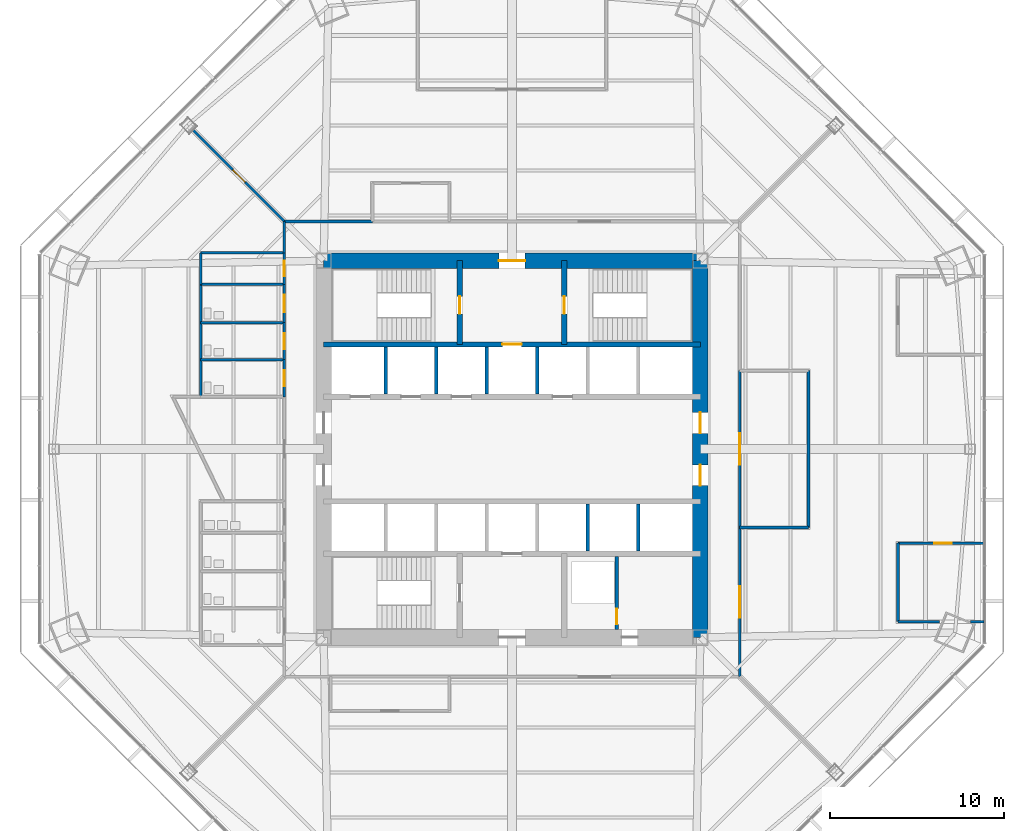
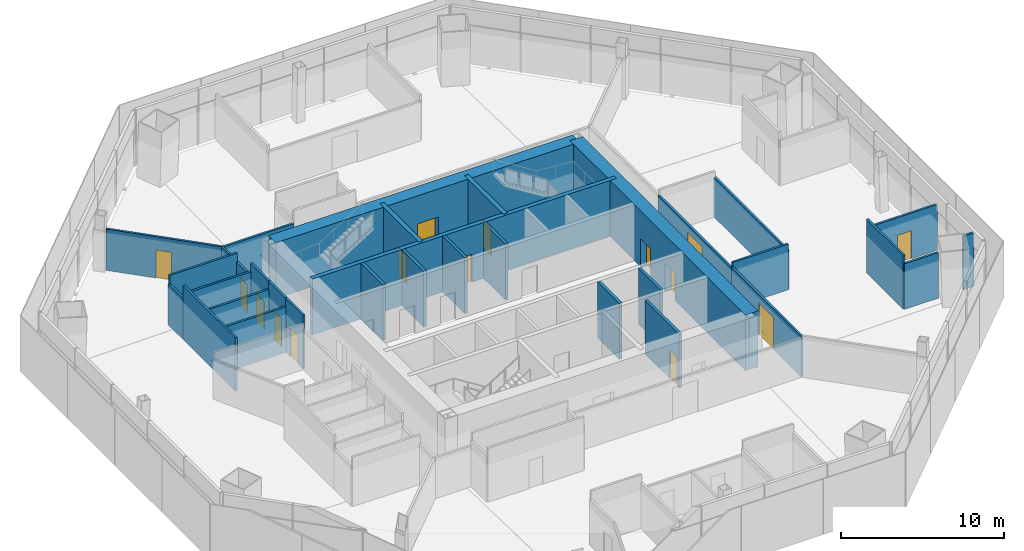
# One storey, part 10 of 14: 33 walls, 15 doors, 15 openings.
"""IFC4 building model written with IfcOpenShell, lengths in metres."""

import ifcopenshell
import ifcopenshell.guid

model = None  # the IFC model being written
_history = None  # IfcOwnerHistory: only IFC2X3 demands one
_inside = {}  # id of a spatial element -> (the spatial element, [elements in it])
_under = {}  # id of a project, library or spatial element -> (it, [spatial elements below it])
_declared = {}  # id of a project -> (the project, [libraries it declares])
_typed = {}  # id of a type object -> (the type object, [elements of that type])
_made_of = {}  # id of a material, layer set ... -> (it, [elements and type objects made of it])


def new_model(schema):
    """Start an empty IFC model of exactly this schema.

    Asked for "IFC4X3", IfcOpenShell would pick the latest addendum, in which some entities
    have other attributes; the version numbers below select the first issue.
    IFC2X3 requires an IfcOwnerHistory on every rooted entity: one is made here for all.
    """
    global model, _history
    if schema == "IFC4X3":
        model = ifcopenshell.file(schema_version=(4, 3, 0, 0))
    else:
        model = ifcopenshell.file(schema=schema)
    _inside.clear()
    _under.clear()
    _declared.clear()
    _typed.clear()
    _made_of.clear()
    _history = None
    if model.schema == "IFC2X3":
        org = make("IfcOrganization", Name="unknown")
        user = make(
            "IfcPersonAndOrganization",
            ThePerson=make("IfcPerson", FamilyName="unknown"),
            TheOrganization=org,
        )
        app = make(
            "IfcApplication",
            ApplicationDeveloper=org,
            Version="unknown",
            ApplicationFullName="unknown",
            ApplicationIdentifier="unknown",
        )
        _history = make(
            "IfcOwnerHistory",
            OwningUser=user,
            OwningApplication=app,
            ChangeAction="ADDED",
            CreationDate=0,
        )
    return model


def make(cls, **values):
    """One entity of the class cls with the attributes given. An attribute that is None is left unset."""
    return model.create_entity(
        cls, **{name: value for name, value in values.items() if value is not None}
    )


def rooted(cls, **values):
    """An entity with a GlobalId (a new one), such as an element, a storey or a relation."""
    return make(cls, GlobalId=ifcopenshell.guid.new(), OwnerHistory=_history, **values)


def si_unit(unit_type, name, prefix=None):
    """IfcSIUnit, for example si_unit("LENGTHUNIT", "METRE", prefix="MILLI")."""
    return make("IfcSIUnit", UnitType=unit_type, Prefix=prefix, Name=name)


def assignment(units):
    """IfcUnitAssignment: the units of a project."""
    return None if units is None else make("IfcUnitAssignment", Units=units)


def point(xyz):
    """IfcCartesianPoint."""
    return None if xyz is None else make("IfcCartesianPoint", Coordinates=xyz)


def direction(xyz):
    """IfcDirection."""
    return None if xyz is None else make("IfcDirection", DirectionRatios=xyz)


def frame(location, z_axis=None, x_axis=None):
    """IfcAxis2Placement3D, a coordinate frame: its origin and axes. An axis left out is left unset."""
    return make(
        "IfcAxis2Placement3D",
        Location=point(location),
        Axis=direction(z_axis),
        RefDirection=direction(x_axis),
    )


def frame_2d(location, x_axis=None):
    """IfcAxis2Placement2D, a coordinate frame in the plane: its origin and x axis."""
    return make(
        "IfcAxis2Placement2D", Location=point(location), RefDirection=direction(x_axis)
    )


def origin():
    """The frame at (0, 0, 0) with its axes left unset."""
    return frame((0.0, 0.0, 0.0))


def place(relative_to, where):
    """IfcLocalPlacement: puts the frame where relative to a parent placement (None: the world)."""
    return make(
        "IfcLocalPlacement", PlacementRelTo=relative_to, RelativePlacement=where
    )


def context(
    kind, dimensions, precision=None, world=None, true_north=None, identifier=None
):
    """IfcGeometricRepresentationContext, for example the 3D "Model" context."""
    return make(
        "IfcGeometricRepresentationContext",
        ContextIdentifier=identifier,
        ContextType=kind,
        CoordinateSpaceDimension=dimensions,
        Precision=precision,
        WorldCoordinateSystem=world,
        TrueNorth=true_north,
    )


def subcontext(parent, identifier, kind, view, scale=None):
    """IfcGeometricRepresentationSubContext, for example "Body" below "Model"."""
    return make(
        "IfcGeometricRepresentationSubContext",
        ContextIdentifier=identifier,
        ContextType=kind,
        ParentContext=parent,
        TargetScale=scale,
        TargetView=view,
    )


def project(units=None, contexts=None):
    """IfcProject with its units and contexts."""
    return rooted(
        "IfcProject",
        Name="project",
        RepresentationContexts=contexts,
        UnitsInContext=assignment(units),
    )


def spatial(cls, under=None, at=None, **own):
    """A site, building, storey or space (cls), placed at a placement, below another one or the project."""
    s = rooted(cls, ObjectPlacement=at, **own)
    if under is not None:
        _under.setdefault(under.id(), (under, []))[1].append(s)
    return s


def profile(cls, at=None, kind="AREA", **sizes):
    """A parametric profile (cls). Its sizes go by their IFC names, for example OverallWidth=200.0."""
    return make(cls, ProfileType=kind, Position=at, **sizes)


def rectangle(**sizes):
    """IfcRectangleProfileDef."""
    return profile("IfcRectangleProfileDef", **sizes)


def extrude(swept, where, along, depth):
    """IfcExtrudedAreaSolid: the profile swept, set in the frame where, extruded along a direction by depth."""
    return make(
        "IfcExtrudedAreaSolid",
        SweptArea=swept,
        Position=where,
        ExtrudedDirection=direction(along),
        Depth=depth,
    )


def shape(context_of_items, identifier, shape_type, items):
    """IfcShapeRepresentation: the items that make up one representation, for example the "Body"."""
    return make(
        "IfcShapeRepresentation",
        ContextOfItems=context_of_items,
        RepresentationIdentifier=identifier,
        RepresentationType=shape_type,
        Items=items,
    )


def material(Name=None, Category=None):
    """IfcMaterial."""
    return make("IfcMaterial", Name=Name, Category=Category)


def layer(
    of_material, thickness, ventilated=None, Name=None, Category=None, Priority=None
):
    """IfcMaterialLayer: one layer of a wall or slab, of a material (None: an air gap)."""
    return make(
        "IfcMaterialLayer",
        Material=of_material,
        LayerThickness=thickness,
        IsVentilated=ventilated,
        Name=Name,
        Category=Category,
        Priority=Priority,
    )


def layer_set(layers, Name=None):
    """IfcMaterialLayerSet."""
    return make("IfcMaterialLayerSet", MaterialLayers=layers, LayerSetName=Name)


def made_of(thing, what):
    """Note that an element or type object is made of a material, layer set ...; save() writes the relation."""
    if what is not None:
        _made_of.setdefault(what.id(), (what, []))[1].append(thing)
    return thing


def type_object(cls, material=None, **own):
    """A type object (cls), such as IfcWallType, which elements share."""
    return made_of(rooted(cls, **own), material)


def element(
    cls,
    number,
    at=None,
    inside=None,
    cuts=None,
    type_object=None,
    material=None,
    context=None,
    identifier="Body",
    shape_type=None,
    held_by="IfcProductDefinitionShape",
    body=None,
    shapes=None,
    **own,
):
    """One element of the class cls, such as IfcWall. Its Tag is "e" and its number.

    at: its placement. inside: the storey or other place that contains it. cuts: it is an
    opening in that element (IfcRelVoidsElement). A single representation is given by context,
    identifier, shape_type and body (its items); several are given by shapes. held_by: the class
    of the entity that holds the representations. save() writes the other relations.
    """
    e = rooted(cls, Tag="e%d" % number, ObjectPlacement=at, **own)
    if body is not None:
        shapes = [shape(context, identifier, shape_type, body)]
    if shapes is not None:
        e.Representation = make(held_by, Representations=shapes)
    if inside is not None:
        _inside.setdefault(inside.id(), (inside, []))[1].append(e)
    if cuts is not None:
        rooted(
            "IfcRelVoidsElement", RelatingBuildingElement=cuts, RelatedOpeningElement=e
        )
    if type_object is not None:
        _typed.setdefault(type_object.id(), (type_object, []))[1].append(e)
    return made_of(e, material)


def fill(opening, filler):
    """IfcRelFillsElement: the door or window that sits in an opening."""
    return rooted(
        "IfcRelFillsElement",
        RelatingOpeningElement=opening,
        RelatedBuildingElement=filler,
    )


def aggregate(whole, parts):
    """IfcRelAggregates: a whole, such as a stair, and the parts it consists of."""
    return rooted("IfcRelAggregates", RelatingObject=whole, RelatedObjects=parts)


def save(model, path):
    """Write the relations noted so far, then the file.

    IfcRelAggregates (storeys below a building ...), IfcRelContainedInSpatialStructure (elements
    in a storey), IfcRelDefinesByType, IfcRelAssociatesMaterial and IfcRelDeclares: one each for
    every whole, place, type object, material and project.
    """
    for whole, parts in _under.values():
        aggregate(whole, parts)
    for where, things in _inside.values():
        rooted(
            "IfcRelContainedInSpatialStructure",
            RelatedElements=things,
            RelatingStructure=where,
        )
    for kind, things in _typed.values():
        rooted("IfcRelDefinesByType", RelatedObjects=things, RelatingType=kind)
    for what, things in _made_of.values():
        rooted("IfcRelAssociatesMaterial", RelatedObjects=things, RelatingMaterial=what)
    for by, libraries in _declared.values():
        rooted("IfcRelDeclares", RelatingContext=by, RelatedDefinitions=libraries)
    model.write(path)


model = new_model("IFC4")

# Units and contexts
model_context = context("Model", 3, precision=1e-05, world=origin(), true_north=direction((0.0, 1.0)))
body_context = subcontext(model_context, "Body", "Model", "MODEL_VIEW")
ifc_project = project(units=[si_unit("LENGTHUNIT", "METRE"), si_unit("AREAUNIT", "SQUARE_METRE"), si_unit("VOLUMEUNIT", "CUBIC_METRE"), si_unit("PLANEANGLEUNIT", "RADIAN"), si_unit("MASSUNIT", "GRAM", prefix="KILO")], contexts=[model_context])

# Site, building, storey
site_placement = place(None, origin())
site = spatial("IfcSite", under=ifc_project, at=site_placement, CompositionType="ELEMENT")
building_placement = place(site_placement, origin())
building = spatial("IfcBuilding", under=site, at=building_placement, Name="Mashrafa Tower", CompositionType="ELEMENT")
storey_placement = place(building_placement, frame((0.0, 0.0, 33.0)))
storey = spatial("IfcBuildingStorey", under=building, at=storey_placement, Name="L06", CompositionType="ELEMENT", Elevation=33.0)

# Wall, opening, door
ifc_material_1 = material(Name="Concrete masonry unit", Category="masonry")
ifc_layer_1 = layer(ifc_material_1, 0.199951171875)
ifc_layer_set_1 = layer_set([ifc_layer_1], Name="Blockwork wall 200 2 hr")
wall_type_1 = type_object("IfcWallType", Name="Blockwork wall 200 2 hr", PredefinedType="PARTITIONING", material=ifc_layer_set_1)
wall_1_placement = place(storey_placement, frame((6.0, -10.35009765625, 0.0), z_axis=(0.0, 0.0, 1.0), x_axis=(0.0, 1.0, 0.0)))
wall_1 = element("IfcWall", 1, at=wall_1_placement, inside=storey, type_object=wall_type_1, Name="Riser enclosure wall L06", PredefinedType="PARTITIONING", context=body_context, shape_type="SweptSolid", body=[
    extrude(rectangle(XDim=4.2001953125, YDim=0.199951171875, at=frame_2d((2.10009765625, 0.0))), origin(), (0.0, 0.0, 1.0), 4.034912109375),
])
opening_1_placement = place(wall_1_placement, frame((0.300048828125, 0.0, 0.0)))
opening_1 = element("IfcOpeningElement", 2, at=opening_1_placement, cuts=wall_1, Name="Opening 06.034", PredefinedType="OPENING", context=body_context, shape_type="SweptSolid", body=[
    extrude(rectangle(XDim=0.89990234375, YDim=2.10009765625, at=frame_2d((0.449951171875, 1.050048828125))), frame((0.0, 0.10986328125, 0.0), z_axis=(0.0, -1.0, 0.0), x_axis=(1.0, 0.0, 0.0)), (0.0, 0.0, 1.0), 0.219970703125),
])
ifc_material_2 = material(Name="Steel door", Category="steel")
door_type_1 = type_object("IfcDoorType", Name="Service door 900 x 2100 90 min", OperationType="USERDEFINED", PredefinedType="DOOR", material=ifc_material_2)
door_1_placement = place(opening_1_placement, origin())
door_1 = element("IfcDoor", 3, at=door_1_placement, inside=storey, type_object=door_type_1, Name="Riser door L06", OperationType="SINGLE_SWING_LEFT", OverallHeight=2.10009765625, OverallWidth=0.89990234375, PredefinedType="DOOR", context=body_context, shape_type="SweptSolid", body=[
    extrude(rectangle(XDim=0.89990234375, YDim=2.10009765625, at=frame_2d((0.449951171875, 1.050048828125))), frame((0.0, 0.02490234375, 0.0), z_axis=(0.0, -1.0, 0.0), x_axis=(1.0, 0.0, 0.0)), (0.0, 0.0, 1.0), 0.050048828125),
])
fill(opening_1, door_1)

ifc_material_3 = material(Name="Concrete C60/75", Category="concrete")
ifc_layer_2 = layer(ifc_material_3, 0.300048828125)
ifc_layer_set_2 = layer_set([ifc_layer_2], Name="Core wall 300 C60/75")
wall_type_2 = type_object("IfcWallType", Name="Core wall 300 C60/75", PredefinedType="SOLIDWALL", material=ifc_layer_set_2)
wall_2_placement = place(storey_placement, frame((-10.800048828125, 6.0, 0.0), z_axis=(0.0, 0.0, 1.0), x_axis=(1.0, 0.0, 0.0)))
wall_2 = element("IfcWall", 4, at=wall_2_placement, inside=storey, type_object=wall_type_2, Name="Core wall CB-N L06", PredefinedType="SOLIDWALL", context=body_context, shape_type="SweptSolid", body=[
    extrude(rectangle(XDim=21.60009765625, YDim=0.300048828125, at=frame_2d((10.800048828125, 0.0))), origin(), (0.0, 0.0, 1.0), 4.199951171875),
])
opening_2_placement = place(wall_2_placement, frame((10.25, 0.0, 0.0)))
opening_2 = element("IfcOpeningElement", 5, at=opening_2_placement, cuts=wall_2, Name="Opening 06.F1", PredefinedType="OPENING", context=body_context, shape_type="SweptSolid", body=[
    extrude(rectangle(XDim=1.10009765625, YDim=2.10009765625, at=frame_2d((0.550048828125, 1.050048828125))), frame((0.0, 0.159912109375, 0.0), z_axis=(0.0, -1.0, 0.0), x_axis=(1.0, 0.0, 0.0)), (0.0, 0.0, 1.0), 0.320068359375),
])
ifc_material_4 = material(Name="Steel door", Category="steel")
door_type_2 = type_object("IfcDoorType", Name="Lift landing door 1100 x 2100 90 min", OperationType="DOUBLE_DOOR_SLIDING", PredefinedType="DOOR", material=ifc_material_4)
door_2_placement = place(opening_2_placement, origin())
door_2 = element("IfcDoor", 6, at=door_2_placement, inside=storey, type_object=door_type_2, Name="Lift landing door F1 L06", OperationType="DOUBLE_DOOR_SLIDING", OverallHeight=2.10009765625, OverallWidth=1.10009765625, PredefinedType="DOOR", context=body_context, shape_type="SweptSolid", body=[
    extrude(rectangle(XDim=1.10009765625, YDim=2.10009765625, at=frame_2d((0.550048828125, 1.050048828125))), frame((0.0, 0.02490234375, 0.0), z_axis=(0.0, -1.0, 0.0), x_axis=(1.0, 0.0, 0.0)), (0.0, 0.0, 1.0), 0.050048828125),
])
fill(opening_2, door_2)

wall_3_placement = place(storey_placement, frame((-3.0, 6.0, 0.0), z_axis=(0.0, 0.0, 1.0), x_axis=(0.0, 1.0, 0.0)))
wall_3 = element("IfcWall", 7, at=wall_3_placement, inside=storey, type_object=wall_type_2, Name="Core wall CX-NW L06", PredefinedType="SOLIDWALL", context=body_context, shape_type="SweptSolid", body=[
    extrude(rectangle(XDim=4.800048828125, YDim=0.300048828125, at=frame_2d((2.39990234375, 0.0))), origin(), (0.0, 0.0, 1.0), 4.199951171875),
])
opening_3_placement = place(wall_3_placement, frame((1.75, 0.0, 0.0)))
opening_3 = element("IfcOpeningElement", 8, at=opening_3_placement, cuts=wall_3, Name="Opening 06.030", PredefinedType="OPENING", context=body_context, shape_type="SweptSolid", body=[
    extrude(rectangle(XDim=1.0, YDim=2.10009765625, at=frame_2d((0.5, 1.050048828125))), frame((0.0, 0.159912109375, 0.0), z_axis=(0.0, -1.0, 0.0), x_axis=(1.0, 0.0, 0.0)), (0.0, 0.0, 1.0), 0.320068359375),
])
ifc_material_5 = material(Name="Steel door", Category="steel")
door_type_3 = type_object("IfcDoorType", Name="Stair door 1000 x 2100 90 min", OperationType="USERDEFINED", PredefinedType="DOOR", material=ifc_material_5)
door_3_placement = place(opening_3_placement, origin())
door_3 = element("IfcDoor", 9, at=door_3_placement, inside=storey, type_object=door_type_3, Name="Stair S1 door L06", OperationType="SINGLE_SWING_LEFT", OverallHeight=2.10009765625, OverallWidth=1.0, PredefinedType="DOOR", context=body_context, shape_type="SweptSolid", body=[
    extrude(rectangle(XDim=1.0, YDim=2.10009765625, at=frame_2d((0.5, 1.050048828125))), frame((0.0, 0.02490234375, 0.0), z_axis=(0.0, -1.0, 0.0), x_axis=(1.0, 0.0, 0.0)), (0.0, 0.0, 1.0), 0.050048828125),
])
fill(opening_3, door_3)

wall_4_placement = place(storey_placement, frame((3.0, 6.0, 0.0), z_axis=(0.0, 0.0, 1.0), x_axis=(0.0, 1.0, 0.0)))
wall_4 = element("IfcWall", 10, at=wall_4_placement, inside=storey, type_object=wall_type_2, Name="Core wall CX-NE L06", PredefinedType="SOLIDWALL", context=body_context, shape_type="SweptSolid", body=[
    extrude(rectangle(XDim=4.800048828125, YDim=0.300048828125, at=frame_2d((2.39990234375, 0.0))), origin(), (0.0, 0.0, 1.0), 4.199951171875),
])
opening_4_placement = place(wall_4_placement, frame((1.75, 0.0, 0.0)))
opening_4 = element("IfcOpeningElement", 11, at=opening_4_placement, cuts=wall_4, Name="Opening 06.031", PredefinedType="OPENING", context=body_context, shape_type="SweptSolid", body=[
    extrude(rectangle(XDim=1.0, YDim=2.10009765625, at=frame_2d((0.5, 1.050048828125))), frame((0.0, 0.159912109375, 0.0), z_axis=(0.0, -1.0, 0.0), x_axis=(1.0, 0.0, 0.0)), (0.0, 0.0, 1.0), 0.320068359375),
])
door_4_placement = place(opening_4_placement, frame((1.0, 0.0, 0.0), z_axis=(0.0, 0.0, 1.0), x_axis=(-1.0, 0.0, 0.0)))
door_4 = element("IfcDoor", 12, at=door_4_placement, inside=storey, type_object=door_type_3, Name="Stair S2 door L06", OperationType="SINGLE_SWING_RIGHT", OverallHeight=2.10009765625, OverallWidth=1.0, PredefinedType="DOOR", context=body_context, shape_type="SweptSolid", body=[
    extrude(rectangle(XDim=1.0, YDim=2.10009765625, at=frame_2d((0.5, 1.050048828125))), frame((0.0, 0.02490234375, 0.0), z_axis=(0.0, -1.0, 0.0), x_axis=(1.0, 0.0, 0.0)), (0.0, 0.0, 1.0), 0.050048828125),
])
fill(opening_4, door_4)

# Wall, openings, doors
ifc_material_6 = material(Name="Concrete C60/75", Category="concrete")
ifc_layer_3 = layer(ifc_material_6, 0.89990234375)
ifc_layer_set_3 = layer_set([ifc_layer_3], Name="Core wall 900 C60/75")
wall_type_3 = type_object("IfcWallType", Name="Core wall 900 C60/75", PredefinedType="SOLIDWALL", material=ifc_layer_set_3)
wall_5_placement = place(storey_placement, frame((10.800048828125, -10.800048828125, 0.0), z_axis=(0.0, 0.0, 1.0), x_axis=(0.0, 1.0, 0.0)))
wall_5 = element("IfcWall", 13, at=wall_5_placement, inside=storey, type_object=wall_type_3, Name="Core wall CW-E L06", PredefinedType="SOLIDWALL", context=body_context, shape_type="SweptSolid", body=[
    extrude(rectangle(XDim=21.60009765625, YDim=0.89990234375, at=frame_2d((10.800048828125, 0.0))), origin(), (0.0, 0.0, 1.0), 4.199951171875),
])
opening_5_placement = place(wall_5_placement, frame((11.699951171875, 0.0, 0.0)))
opening_5 = element("IfcOpeningElement", 14, at=opening_5_placement, cuts=wall_5, Name="Opening 06.024", PredefinedType="OPENING", context=body_context, shape_type="SweptSolid", body=[
    extrude(rectangle(XDim=1.199951171875, YDim=2.10009765625, at=frame_2d((0.60009765625, 1.050048828125))), frame((0.0, 0.4599609375, 0.0), z_axis=(0.0, -1.0, 0.0), x_axis=(1.0, 0.0, 0.0)), (0.0, 0.0, 1.0), 0.919921875),
])
opening_6_placement = place(wall_5_placement, frame((8.699951171875, 0.0, 0.0)))
opening_6 = element("IfcOpeningElement", 15, at=opening_6_placement, cuts=wall_5, Name="Opening 06.026", PredefinedType="OPENING", context=body_context, shape_type="SweptSolid", body=[
    extrude(rectangle(XDim=1.199951171875, YDim=2.10009765625, at=frame_2d((0.60009765625, 1.050048828125))), frame((0.0, 0.4599609375, 0.0), z_axis=(0.0, -1.0, 0.0), x_axis=(1.0, 0.0, 0.0)), (0.0, 0.0, 1.0), 0.919921875),
])
ifc_material_7 = material(Name="Steel door", Category="steel")
door_type_4 = type_object("IfcDoorType", Name="Lift hall door 1200 x 2100 90 min", OperationType="USERDEFINED", PredefinedType="DOOR", material=ifc_material_7)
door_5_placement = place(opening_5_placement, frame((1.199951171875, 0.0, 0.0), z_axis=(0.0, 0.0, 1.0), x_axis=(-1.0, 0.0, 0.0)))
door_5 = element("IfcDoor", 16, at=door_5_placement, inside=storey, type_object=door_type_4, Name="Lift hall door east L06", OperationType="SINGLE_SWING_LEFT", OverallHeight=2.10009765625, OverallWidth=1.199951171875, PredefinedType="DOOR", context=body_context, shape_type="SweptSolid", body=[
    extrude(rectangle(XDim=1.199951171875, YDim=2.10009765625, at=frame_2d((0.60009765625, 1.050048828125))), frame((0.0, 0.02490234375, 0.0), z_axis=(0.0, -1.0, 0.0), x_axis=(1.0, 0.0, 0.0)), (0.0, 0.0, 1.0), 0.050048828125),
])
fill(opening_5, door_5)
door_6_placement = place(opening_6_placement, frame((1.199951171875, 0.0, 0.0), z_axis=(0.0, 0.0, 1.0), x_axis=(-1.0, 0.0, 0.0)))
door_6 = element("IfcDoor", 17, at=door_6_placement, inside=storey, type_object=door_type_4, Name="Lift hall door east L06", OperationType="SINGLE_SWING_RIGHT", OverallHeight=2.10009765625, OverallWidth=1.199951171875, PredefinedType="DOOR", context=body_context, shape_type="SweptSolid", body=[
    extrude(rectangle(XDim=1.199951171875, YDim=2.10009765625, at=frame_2d((0.60009765625, 1.050048828125))), frame((0.0, 0.02490234375, 0.0), z_axis=(0.0, -1.0, 0.0), x_axis=(1.0, 0.0, 0.0)), (0.0, 0.0, 1.0), 0.050048828125),
])
fill(opening_6, door_6)

# Wall, opening, door
wall_6_placement = place(storey_placement, frame((10.800048828125, 10.800048828125, 0.0), z_axis=(0.0, 0.0, 1.0), x_axis=(-1.0, 0.0, 0.0)))
wall_6 = element("IfcWall", 18, at=wall_6_placement, inside=storey, type_object=wall_type_3, Name="Core wall CW-N L06", PredefinedType="SOLIDWALL", context=body_context, shape_type="SweptSolid", body=[
    extrude(rectangle(XDim=21.60009765625, YDim=0.89990234375, at=frame_2d((10.800048828125, 0.0))), origin(), (0.0, 0.0, 1.0), 4.199951171875),
])
opening_7_placement = place(wall_6_placement, frame((10.050048828125, 0.0, 0.0)))
opening_7 = element("IfcOpeningElement", 19, at=opening_7_placement, cuts=wall_6, Name="Opening 06.028", PredefinedType="OPENING", context=body_context, shape_type="SweptSolid", body=[
    extrude(rectangle(XDim=1.5, YDim=2.10009765625, at=frame_2d((0.75, 1.050048828125))), frame((0.0, 0.4599609375, 0.0), z_axis=(0.0, -1.0, 0.0), x_axis=(1.0, 0.0, 0.0)), (0.0, 0.0, 1.0), 0.919921875),
])
ifc_material_8 = material(Name="Steel door", Category="steel")
door_type_5 = type_object("IfcDoorType", Name="Lobby door pair 1500 x 2100 90 min", OperationType="DOUBLE_DOOR_SINGLE_SWING", PredefinedType="DOOR", material=ifc_material_8)
door_7_placement = place(opening_7_placement, origin())
door_7 = element("IfcDoor", 20, at=door_7_placement, inside=storey, type_object=door_type_5, Name="Fire-fighting lobby F1 door L06", OperationType="DOUBLE_DOOR_SINGLE_SWING", OverallHeight=2.10009765625, OverallWidth=1.5, PredefinedType="DOOR", context=body_context, shape_type="SweptSolid", body=[
    extrude(rectangle(XDim=1.5, YDim=2.10009765625, at=frame_2d((0.75, 1.050048828125))), frame((0.0, 0.02490234375, 0.0), z_axis=(0.0, -1.0, 0.0), x_axis=(1.0, 0.0, 0.0)), (0.0, 0.0, 1.0), 0.050048828125),
])
fill(opening_7, door_7)

ifc_material_9 = material(Name="Gypsum board on steel studs", Category="steel")
ifc_layer_4 = layer(ifc_material_9, 0.14990234375)
ifc_layer_set_4 = layer_set([ifc_layer_4], Name="Corridor partition 150 1 hr")
wall_type_4 = type_object("IfcWallType", Name="Corridor partition 150 1 hr", PredefinedType="PARTITIONING", material=ifc_layer_set_4)
wall_7_placement = place(storey_placement, frame((-13.050048828125, 5.1259765625, 0.0), z_axis=(0.0, 0.0, 1.0), x_axis=(0.0, -1.0, 0.0)))
wall_7 = element("IfcWall", 21, at=wall_7_placement, inside=storey, type_object=wall_type_4, Name="Corridor wall L06-001", PredefinedType="PARTITIONING", context=body_context, shape_type="SweptSolid", body=[
    extrude(rectangle(XDim=2.126953125, YDim=0.14990234375, at=frame_2d((1.0634765625, 0.0))), origin(), (0.0, 0.0, 1.0), 4.034912109375),
])
opening_8_placement = place(wall_7_placement, frame((0.613525390625, 0.0, 0.0)))
opening_8 = element("IfcOpeningElement", 22, at=opening_8_placement, cuts=wall_7, Name="Opening 06.001", PredefinedType="OPENING", context=body_context, shape_type="SweptSolid", body=[
    extrude(rectangle(XDim=0.89990234375, YDim=2.10009765625, at=frame_2d((0.449951171875, 1.050048828125))), frame((0.0, 0.0849609375, 0.0), z_axis=(0.0, -1.0, 0.0), x_axis=(1.0, 0.0, 0.0)), (0.0, 0.0, 1.0), 0.169921875),
])
ifc_material_10 = material(Name="Timber door", Category="wood")
door_type_6 = type_object("IfcDoorType", Name="Toilet door 900 x 2100", OperationType="USERDEFINED", PredefinedType="DOOR", material=ifc_material_10)
door_8_placement = place(opening_8_placement, frame((0.89990234375, 0.0, 0.0), z_axis=(0.0, 0.0, 1.0), x_axis=(-1.0, 0.0, 0.0)))
door_8 = element("IfcDoor", 23, at=door_8_placement, inside=storey, type_object=door_type_6, Name="WC Female L06 N door", OperationType="SINGLE_SWING_RIGHT", OverallHeight=2.10009765625, OverallWidth=0.89990234375, PredefinedType="DOOR", context=body_context, shape_type="SweptSolid", body=[
    extrude(rectangle(XDim=0.89990234375, YDim=2.10009765625, at=frame_2d((0.449951171875, 1.050048828125))), frame((0.0, 0.02490234375, 0.0), z_axis=(0.0, -1.0, 0.0), x_axis=(1.0, 0.0, 0.0)), (0.0, 0.0, 1.0), 0.050048828125),
])
fill(opening_8, door_8)

wall_8_placement = place(storey_placement, frame((-13.050048828125, 7.2509765625, 0.0), z_axis=(0.0, 0.0, 1.0), x_axis=(0.0, -1.0, 0.0)))
wall_8 = element("IfcWall", 24, at=wall_8_placement, inside=storey, type_object=wall_type_4, Name="Corridor wall L06-002", PredefinedType="PARTITIONING", context=body_context, shape_type="SweptSolid", body=[
    extrude(rectangle(XDim=2.126953125, YDim=0.14990234375, at=frame_2d((1.0634765625, 0.0))), origin(), (0.0, 0.0, 1.0), 4.034912109375),
])
opening_9_placement = place(wall_8_placement, frame((0.613525390625, 0.0, 0.0)))
opening_9 = element("IfcOpeningElement", 25, at=opening_9_placement, cuts=wall_8, Name="Opening 06.002", PredefinedType="OPENING", context=body_context, shape_type="SweptSolid", body=[
    extrude(rectangle(XDim=0.89990234375, YDim=2.10009765625, at=frame_2d((0.449951171875, 1.050048828125))), frame((0.0, 0.0849609375, 0.0), z_axis=(0.0, -1.0, 0.0), x_axis=(1.0, 0.0, 0.0)), (0.0, 0.0, 1.0), 0.169921875),
])
door_9_placement = place(opening_9_placement, frame((0.89990234375, 0.0, 0.0), z_axis=(0.0, 0.0, 1.0), x_axis=(-1.0, 0.0, 0.0)))
door_9 = element("IfcDoor", 26, at=door_9_placement, inside=storey, type_object=door_type_6, Name="WC Male L06 N door", OperationType="SINGLE_SWING_LEFT", OverallHeight=2.10009765625, OverallWidth=0.89990234375, PredefinedType="DOOR", context=body_context, shape_type="SweptSolid", body=[
    extrude(rectangle(XDim=0.89990234375, YDim=2.10009765625, at=frame_2d((0.449951171875, 1.050048828125))), frame((0.0, 0.02490234375, 0.0), z_axis=(0.0, -1.0, 0.0), x_axis=(1.0, 0.0, 0.0)), (0.0, 0.0, 1.0), 0.050048828125),
])
fill(opening_9, door_9)

wall_9_placement = place(storey_placement, frame((-13.050048828125, 9.450927734375, 0.0), z_axis=(0.0, 0.0, 1.0), x_axis=(0.0, -1.0, 0.0)))
wall_9 = element("IfcWall", 27, at=wall_9_placement, inside=storey, type_object=wall_type_4, Name="Corridor wall L06-003", PredefinedType="PARTITIONING", context=body_context, shape_type="SweptSolid", body=[
    extrude(rectangle(XDim=2.201904296875, YDim=0.14990234375, at=frame_2d((1.10107421875, 0.0))), origin(), (0.0, 0.0, 1.0), 4.034912109375),
])
opening_10_placement = place(wall_9_placement, frame((0.60107421875, 0.0, 0.0)))
opening_10 = element("IfcOpeningElement", 28, at=opening_10_placement, cuts=wall_9, Name="Opening 06.003", PredefinedType="OPENING", context=body_context, shape_type="SweptSolid", body=[
    extrude(rectangle(XDim=1.0, YDim=2.10009765625, at=frame_2d((0.5, 1.050048828125))), frame((0.0, 0.0849609375, 0.0), z_axis=(0.0, -1.0, 0.0), x_axis=(1.0, 0.0, 0.0)), (0.0, 0.0, 1.0), 0.169921875),
])
ifc_material_11 = material(Name="Timber door", Category="wood")
door_type_7 = type_object("IfcDoorType", Name="Accessible toilet door 1000 x 2100", OperationType="USERDEFINED", PredefinedType="DOOR", material=ifc_material_11)
door_10_placement = place(opening_10_placement, frame((1.0, 0.0, 0.0), z_axis=(0.0, 0.0, 1.0), x_axis=(-1.0, 0.0, 0.0)))
door_10 = element("IfcDoor", 29, at=door_10_placement, inside=storey, type_object=door_type_7, Name="Accessible WC L06 N door", OperationType="SINGLE_SWING_RIGHT", OverallHeight=2.10009765625, OverallWidth=1.0, PredefinedType="DOOR", context=body_context, shape_type="SweptSolid", body=[
    extrude(rectangle(XDim=1.0, YDim=2.10009765625, at=frame_2d((0.5, 1.050048828125))), frame((0.0, 0.02490234375, 0.0), z_axis=(0.0, -1.0, 0.0), x_axis=(1.0, 0.0, 0.0)), (0.0, 0.0, 1.0), 0.050048828125),
])
fill(opening_10, door_10)

wall_10_placement = place(storey_placement, frame((-13.050048828125, 11.2509765625, 0.0), z_axis=(0.0, 0.0, 1.0), x_axis=(0.0, -1.0, 0.0)))
wall_10 = element("IfcWall", 30, at=wall_10_placement, inside=storey, type_object=wall_type_4, Name="Corridor wall L06-004", PredefinedType="PARTITIONING", context=body_context, shape_type="SweptSolid", body=[
    extrude(rectangle(XDim=1.802001953125, YDim=0.14990234375, at=frame_2d((0.90087890625, 0.0))), origin(), (0.0, 0.0, 1.0), 3.06494140625),
])
opening_11_placement = place(wall_10_placement, frame((0.450927734375, 0.0, 0.0)))
opening_11 = element("IfcOpeningElement", 31, at=opening_11_placement, cuts=wall_10, Name="Opening 06.004", PredefinedType="OPENING", context=body_context, shape_type="SweptSolid", body=[
    extrude(rectangle(XDim=0.89990234375, YDim=2.10009765625, at=frame_2d((0.449951171875, 1.050048828125))), frame((0.0, 0.0849609375, 0.0), z_axis=(0.0, -1.0, 0.0), x_axis=(1.0, 0.0, 0.0)), (0.0, 0.0, 1.0), 0.169921875),
])
ifc_material_12 = material(Name="Timber door", Category="wood")
door_type_8 = type_object("IfcDoorType", Name="Store door 900 x 2100", OperationType="USERDEFINED", PredefinedType="DOOR", material=ifc_material_12)
door_11_placement = place(opening_11_placement, frame((0.89990234375, 0.0, 0.0), z_axis=(0.0, 0.0, 1.0), x_axis=(-1.0, 0.0, 0.0)))
door_11 = element("IfcDoor", 32, at=door_11_placement, inside=storey, type_object=door_type_8, Name="Cleaner's Store L06 N door", OperationType="SINGLE_SWING_LEFT", OverallHeight=2.10009765625, OverallWidth=0.89990234375, PredefinedType="DOOR", context=body_context, shape_type="SweptSolid", body=[
    extrude(rectangle(XDim=0.89990234375, YDim=2.10009765625, at=frame_2d((0.449951171875, 1.050048828125))), frame((0.0, 0.02490234375, 0.0), z_axis=(0.0, -1.0, 0.0), x_axis=(1.0, 0.0, 0.0)), (0.0, 0.0, 1.0), 0.050048828125),
])
fill(opening_11, door_11)

wall_11_placement = place(storey_placement, frame((13.050048828125, -4.5009765625, 0.0), z_axis=(0.0, 0.0, 1.0), x_axis=(0.0, 1.0, 0.0)))
wall_11 = element("IfcWall", 33, at=wall_11_placement, inside=storey, type_object=wall_type_4, Name="Corridor wall L06-010", PredefinedType="PARTITIONING", context=body_context, shape_type="SweptSolid", body=[
    extrude(rectangle(XDim=9.001953125, YDim=0.14990234375, at=frame_2d((4.5009765625, 0.0))), origin(), (0.0, 0.0, 1.0), 2.983642578125),
])
opening_12_placement = place(wall_11_placement, frame((3.60107421875, 0.0, 0.0)))
opening_12 = element("IfcOpeningElement", 34, at=opening_12_placement, cuts=wall_11, Name="Opening 06.010", PredefinedType="OPENING", context=body_context, shape_type="SweptSolid", body=[
    extrude(rectangle(XDim=1.800048828125, YDim=2.39990234375, at=frame_2d((0.89990234375, 1.199951171875))), frame((0.0, 0.0849609375, 0.0), z_axis=(0.0, -1.0, 0.0), x_axis=(1.0, 0.0, 0.0)), (0.0, 0.0, 1.0), 0.169921875),
])
ifc_material_13 = material(Name="Steel door", Category="steel")
door_type_9 = type_object("IfcDoorType", Name="Door pair 1800 x 2400 90 min", OperationType="DOUBLE_DOOR_SINGLE_SWING", PredefinedType="DOOR", material=ifc_material_13)
door_12_placement = place(opening_12_placement, frame((1.800048828125, 0.0, 0.0), z_axis=(0.0, 0.0, 1.0), x_axis=(-1.0, 0.0, 0.0)))
door_12 = element("IfcDoor", 35, at=door_12_placement, inside=storey, type_object=door_type_9, Name="Reception and Waiting 06 door", OperationType="DOUBLE_DOOR_SINGLE_SWING", OverallHeight=2.39990234375, OverallWidth=1.800048828125, PredefinedType="DOOR", context=body_context, shape_type="SweptSolid", body=[
    extrude(rectangle(XDim=1.800048828125, YDim=2.39990234375, at=frame_2d((0.89990234375, 1.199951171875))), frame((0.0, 0.02490234375, 0.0), z_axis=(0.0, -1.0, 0.0), x_axis=(1.0, 0.0, 0.0)), (0.0, 0.0, 1.0), 0.050048828125),
])
fill(opening_12, door_12)

# Wall
wall_12_placement = place(storey_placement, frame((-7.9990234375, 13.050048828125, 0.0), z_axis=(0.0, 0.0, 1.0), x_axis=(-1.0, 0.0, 0.0)))
element("IfcWall", 36, at=wall_12_placement, inside=storey, type_object=wall_type_4, Name="Corridor wall L06-013", PredefinedType="PARTITIONING", context=body_context, shape_type="SweptSolid", body=[
    extrude(rectangle(XDim=5.051025390625, YDim=0.14990234375, at=frame_2d((2.525390625, 0.0))), origin(), (0.0, 0.0, 1.0), 3.06494140625),
])

# Wall, opening, door
wall_13_placement = place(storey_placement, frame((13.050048828125, -13.050048828125, 0.0), z_axis=(0.0, 0.0, 1.0), x_axis=(0.0, 1.0, 0.0)))
wall_13 = element("IfcWall", 37, at=wall_13_placement, inside=storey, type_object=wall_type_4, Name="Corridor wall L06-015", PredefinedType="PARTITIONING", context=body_context, shape_type="SweptSolid", body=[
    extrude(rectangle(XDim=8.551025390625, YDim=0.14990234375, at=frame_2d((4.275390625, 0.0))), origin(), (0.0, 0.0, 1.0), 3.06494140625),
])
opening_13_placement = place(wall_13_placement, frame((3.37548828125, 0.0, 0.0)))
opening_13 = element("IfcOpeningElement", 38, at=opening_13_placement, cuts=wall_13, Name="Opening 06.021", PredefinedType="OPENING", context=body_context, shape_type="SweptSolid", body=[
    extrude(rectangle(XDim=1.800048828125, YDim=2.39990234375, at=frame_2d((0.89990234375, 1.199951171875))), frame((0.0, 0.0849609375, 0.0), z_axis=(0.0, -1.0, 0.0), x_axis=(1.0, 0.0, 0.0)), (0.0, 0.0, 1.0), 0.169921875),
])
ifc_material_14 = material(Name="Timber door", Category="wood")
door_type_10 = type_object("IfcDoorType", Name="Door pair 1800 x 2400", OperationType="DOUBLE_DOOR_SINGLE_SWING", PredefinedType="DOOR", material=ifc_material_14)
door_13_placement = place(opening_13_placement, frame((1.800048828125, 0.0, 0.0), z_axis=(0.0, 0.0, 1.0), x_axis=(-1.0, 0.0, 0.0)))
door_13 = element("IfcDoor", 39, at=door_13_placement, inside=storey, type_object=door_type_10, Name="Private Banking Office 06 door", OperationType="DOUBLE_DOOR_SINGLE_SWING", OverallHeight=2.39990234375, OverallWidth=1.800048828125, PredefinedType="DOOR", context=body_context, shape_type="SweptSolid", body=[
    extrude(rectangle(XDim=1.800048828125, YDim=2.39990234375, at=frame_2d((0.89990234375, 1.199951171875))), frame((0.0, 0.02490234375, 0.0), z_axis=(0.0, -1.0, 0.0), x_axis=(1.0, 0.0, 0.0)), (0.0, 0.0, 1.0), 0.050048828125),
])
fill(opening_13, door_13)

# Walls
wall_14_placement = place(storey_placement, frame((-13.050048828125, 13.050048828125, 0.0), z_axis=(0.0, 0.0, 1.0), x_axis=(0.0, -1.0, 0.0)))
element("IfcWall", 40, at=wall_14_placement, inside=storey, type_object=wall_type_4, Name="Corridor wall L06-020", PredefinedType="PARTITIONING", context=body_context, shape_type="SweptSolid", body=[
    extrude(rectangle(XDim=1.801025390625, YDim=0.14990234375, at=frame_2d((0.900390625, 0.0))), origin(), (0.0, 0.0, 1.0), 3.097900390625),
])
wall_15_placement = place(storey_placement, frame((13.050048828125, -4.5, 0.0), z_axis=(0.0, 0.0, 1.0), x_axis=(1.0, 0.0, 0.0)))
element("IfcWall", 41, at=wall_15_placement, inside=storey, type_object=wall_type_4, Name="Corridor wall L06-042", PredefinedType="PARTITIONING", context=body_context, shape_type="SweptSolid", body=[
    extrude(rectangle(XDim=3.949951171875, YDim=0.14990234375, at=frame_2d((1.97509765625, 0.0))), origin(), (0.0, 0.0, 1.0), 3.425537109375),
])
wall_16_placement = place(storey_placement, frame((17.0, -4.5, 0.0), z_axis=(0.0, 0.0, 1.0), x_axis=(0.0, 1.0, 0.0)))
element("IfcWall", 42, at=wall_16_placement, inside=storey, type_object=wall_type_4, Name="Corridor wall L06-043", PredefinedType="PARTITIONING", context=body_context, shape_type="SweptSolid", body=[
    extrude(rectangle(XDim=9.0, YDim=0.14990234375, at=frame_2d((4.5, 0.0))), origin(), (0.0, 0.0, 1.0), 2.983642578125),
])
ifc_material_15 = material(Name="Gypsum board on steel studs", Category="steel")
ifc_layer_5 = layer(ifc_material_15, 0.14990234375)
ifc_layer_set_5 = layer_set([ifc_layer_5], Name="Partition 150")
wall_type_5 = type_object("IfcWallType", Name="Partition 150", PredefinedType="PARTITIONING", material=ifc_layer_set_5)
wall_17_placement = place(storey_placement, frame((-13.050048828125, 5.125, 0.0), z_axis=(0.0, 0.0, 1.0), x_axis=(-1.0, 0.0, 0.0)))
element("IfcWall", 43, at=wall_17_placement, inside=storey, type_object=wall_type_5, Name="Partition wall L06-021", PredefinedType="PARTITIONING", context=body_context, shape_type="SweptSolid", body=[
    extrude(rectangle(XDim=4.800048828125, YDim=0.14990234375, at=frame_2d((2.39990234375, 0.0))), origin(), (0.0, 0.0, 1.0), 3.425537109375),
])
wall_18_placement = place(storey_placement, frame((-17.85009765625, 3.0, 0.0), z_axis=(0.0, 0.0, 1.0), x_axis=(0.0, 1.0, 0.0)))
element("IfcWall", 44, at=wall_18_placement, inside=storey, type_object=wall_type_5, Name="Partition wall L06-023", PredefinedType="PARTITIONING", context=body_context, shape_type="SweptSolid", body=[
    extrude(rectangle(XDim=6.449951171875, YDim=0.14990234375, at=frame_2d((3.22509765625, 0.0))), origin(), (0.0, 0.0, 1.0), 4.034912109375),
])
for number, where, z_axis, x_axis, name in (
    (45, (-13.050048828125, 7.25, 0.0), (0.0, 0.0, 1.0), (-1.0, 0.0, 0.0), "Partition wall L06-024"),
    (46, (-13.050048828125, 9.449951171875, 0.0), (0.0, 0.0, 1.0), (-1.0, 0.0, 0.0), "Partition wall L06-026"),
):
    element("IfcWall", number, at=place(storey_placement, frame(where, z_axis=z_axis, x_axis=x_axis)), inside=storey, type_object=wall_type_5, Name=name, PredefinedType="PARTITIONING", context=body_context, shape_type="SweptSolid", body=[
        extrude(rectangle(XDim=4.800048828125, YDim=0.14990234375, at=frame_2d((2.39990234375, 0.0))), origin(), (0.0, 0.0, 1.0), 3.425537109375),
    ])
wall_19_placement = place(storey_placement, frame((-13.050048828125, 11.25, 0.0), z_axis=(0.0, 0.0, 1.0), x_axis=(-1.0, 0.0, 0.0)))
element("IfcWall", 47, at=wall_19_placement, inside=storey, type_object=wall_type_5, Name="Partition wall L06-028", PredefinedType="PARTITIONING", context=body_context, shape_type="SweptSolid", body=[
    extrude(rectangle(XDim=4.800048828125, YDim=0.14990234375, at=frame_2d((2.39990234375, 0.0))), origin(), (0.0, 0.0, 1.0), 3.715087890625),
])
wall_20_placement = place(storey_placement, frame((-17.85009765625, 11.25, 0.0), z_axis=(0.0, 0.0, 1.0), x_axis=(0.0, -1.0, 0.0)))
element("IfcWall", 48, at=wall_20_placement, inside=storey, type_object=wall_type_5, Name="Partition wall L06-029", PredefinedType="PARTITIONING", context=body_context, shape_type="SweptSolid", body=[
    extrude(rectangle(XDim=1.800048828125, YDim=0.14990234375, at=frame_2d((0.89990234375, 0.0))), origin(), (0.0, 0.0, 1.0), 3.06494140625),
])

# Wall, opening, door
wall_21_placement = place(storey_placement, frame((27.065185546875, -5.39990234375, 0.0), z_axis=(0.0, 0.0, 1.0), x_axis=(-1.0, 0.0, 0.0)))
wall_21 = element("IfcWall", 49, at=wall_21_placement, inside=storey, type_object=wall_type_5, Name="Partition wall L06-067", PredefinedType="PARTITIONING", context=body_context, shape_type="SweptSolid", body=[
    extrude(rectangle(XDim=4.93408203125, YDim=0.14990234375, at=frame_2d((2.467041015625, 0.0))), origin(), (0.0, 0.0, 1.0), 3.423095703125),
])
opening_14_placement = place(wall_21_placement, frame((1.84912109375, 0.0, 0.0)))
opening_14 = element("IfcOpeningElement", 50, at=opening_14_placement, cuts=wall_21, Name="Opening 06.019", PredefinedType="OPENING", context=body_context, shape_type="SweptSolid", body=[
    extrude(rectangle(XDim=1.0, YDim=2.10009765625, at=frame_2d((0.5, 1.050048828125))), frame((0.0, 0.0849609375, 0.0), z_axis=(0.0, -1.0, 0.0), x_axis=(1.0, 0.0, 0.0)), (0.0, 0.0, 1.0), 0.169921875),
])
ifc_material_16 = material(Name="Timber door", Category="wood")
door_type_11 = type_object("IfcDoorType", Name="Door 1000 x 2100", OperationType="USERDEFINED", PredefinedType="DOOR", material=ifc_material_16)
door_14_placement = place(opening_14_placement, origin())
door_14 = element("IfcDoor", 51, at=door_14_placement, inside=storey, type_object=door_type_11, Name="Meeting Room 06-2 door", OperationType="SINGLE_SWING_LEFT", OverallHeight=2.10009765625, OverallWidth=1.0, PredefinedType="DOOR", context=body_context, shape_type="SweptSolid", body=[
    extrude(rectangle(XDim=1.0, YDim=2.10009765625, at=frame_2d((0.5, 1.050048828125))), frame((0.0, 0.02490234375, 0.0), z_axis=(0.0, -1.0, 0.0), x_axis=(1.0, 0.0, 0.0)), (0.0, 0.0, 1.0), 0.050048828125),
])
fill(opening_14, door_14)

# Walls
wall_22_placement = place(storey_placement, frame((22.131103515625, -5.39990234375, 0.0), z_axis=(0.0, 0.0, 1.0), x_axis=(0.0, -1.0, 0.0)))
element("IfcWall", 52, at=wall_22_placement, inside=storey, type_object=wall_type_5, Name="Partition wall L06-068", PredefinedType="PARTITIONING", context=body_context, shape_type="SweptSolid", body=[
    extrude(rectangle(XDim=4.5, YDim=0.14990234375, at=frame_2d((2.25, 0.0))), origin(), (0.0, 0.0, 1.0), 4.034912109375),
])
wall_23_placement = place(storey_placement, frame((22.131103515625, -9.89990234375, 0.0), z_axis=(0.0, 0.0, 1.0), x_axis=(1.0, 0.0, 0.0)))
element("IfcWall", 53, at=wall_23_placement, inside=storey, type_object=wall_type_5, Name="Partition wall L06-069", PredefinedType="PARTITIONING", context=body_context, shape_type="SweptSolid", body=[
    extrude(rectangle(XDim=2.395263671875, YDim=0.14990234375, at=frame_2d((1.19775390625, 0.0))), origin(), (0.0, 0.0, 1.0), 3.423095703125),
])
wall_24_placement = place(storey_placement, frame((26.30224609375, -9.89990234375, 0.0), z_axis=(0.0, 0.0, 1.0), x_axis=(1.0, 0.0, 0.0)))
element("IfcWall", 54, at=wall_24_placement, inside=storey, type_object=wall_type_5, Name="Partition wall L06-070", PredefinedType="PARTITIONING", context=body_context, shape_type="SweptSolid", body=[
    extrude(rectangle(XDim=0.760986328125, YDim=0.14990234375, at=frame_2d((0.38037109375, 0.0))), origin(), (0.0, 0.0, 1.0), 4.034912109375),
])

# Wall, opening, door
wall_25_placement = place(storey_placement, frame((-18.27392578125, 18.27392578125, 0.0), z_axis=(0.0, 0.0, 1.0), x_axis=(0.707106781187, -0.707106781187, 0.0)))
wall_25 = element("IfcWall", 55, at=wall_25_placement, inside=storey, type_object=wall_type_5, Name="Partition wall L06-072", PredefinedType="PARTITIONING", context=body_context, shape_type="SweptSolid", body=[
    extrude(rectangle(XDim=7.3876953125, YDim=0.14990234375, at=frame_2d((3.69384765625, 0.0))), origin(), (0.0, 0.0, 1.0), 3.097900390625),
])
opening_15_placement = place(wall_25_placement, frame((3.19384765625, 0.0, 0.0)))
opening_15 = element("IfcOpeningElement", 56, at=opening_15_placement, cuts=wall_25, Name="Opening 06.023", PredefinedType="OPENING", context=body_context, shape_type="SweptSolid", body=[
    extrude(rectangle(XDim=1.0, YDim=2.10009765625, at=frame_2d((0.5, 1.050048828125))), frame((0.0, 0.0849609375, 0.0), z_axis=(0.0, -1.0, 0.0), x_axis=(1.0, 0.0, 0.0)), (0.0, 0.0, 1.0), 0.169921875),
])
door_15_placement = place(opening_15_placement, frame((1.0, 0.0, 0.0), z_axis=(0.0, 0.0, 1.0), x_axis=(-1.0, 0.0, 0.0)))
door_15 = element("IfcDoor", 57, at=door_15_placement, inside=storey, type_object=door_type_11, Name="Risk and Compliance Office 06 door", OperationType="SINGLE_SWING_LEFT", OverallHeight=2.10009765625, OverallWidth=1.0, PredefinedType="DOOR", context=body_context, shape_type="SweptSolid", body=[
    extrude(rectangle(XDim=1.0, YDim=2.10009765625, at=frame_2d((0.5, 1.050048828125))), frame((0.0, 0.02490234375, 0.0), z_axis=(0.0, -1.0, 0.0), x_axis=(1.0, 0.0, 0.0)), (0.0, 0.0, 1.0), 0.050048828125),
])
fill(opening_15, door_15)

# Walls
ifc_material_17 = material(Name="Gypsum shaft wall on steel studs", Category="steel")
ifc_layer_6 = layer(ifc_material_17, 0.199951171875)
ifc_layer_set_6 = layer_set([ifc_layer_6], Name="Shaft divider wall 200 2 hr")
wall_type_6 = type_object("IfcWallType", Name="Shaft divider wall 200 2 hr", PredefinedType="PARTITIONING", material=ifc_layer_set_6)
for number, where, z_axis, x_axis, name in (
    (58, (-7.25, 3.14990234375, 0.0), (0.0, 0.0, 1.0), (0.0, 1.0, 0.0), "Shaft divider wall N1 L06"),
    (59, (-4.35009765625, 3.14990234375, 0.0), (0.0, 0.0, 1.0), (0.0, 1.0, 0.0), "Shaft divider wall N2 L06"),
    (60, (-1.449951171875, 3.14990234375, 0.0), (0.0, 0.0, 1.0), (0.0, 1.0, 0.0), "Shaft divider wall N3 L06"),
    (61, (1.449951171875, 3.14990234375, 0.0), (0.0, 0.0, 1.0), (0.0, 1.0, 0.0), "Shaft divider wall N4 L06"),
    (62, (4.35009765625, -5.85009765625, 0.0), (0.0, 0.0, 1.0), (0.0, 1.0, 0.0), "Shaft divider wall S5 L06"),
    (63, (7.25, -5.85009765625, 0.0), (0.0, 0.0, 1.0), (0.0, 1.0, 0.0), "Shaft divider wall S6 L06"),
):
    element("IfcWall", number, at=place(storey_placement, frame(where, z_axis=z_axis, x_axis=x_axis)), inside=storey, type_object=wall_type_6, Name=name, PredefinedType="PARTITIONING", context=body_context, shape_type="SweptSolid", body=[
        extrude(rectangle(XDim=2.7001953125, YDim=0.199951171875, at=frame_2d((1.35009765625, 0.0))), origin(), (0.0, 0.0, 1.0), 4.199951171875),
    ])

save(model, "model.ifc")
